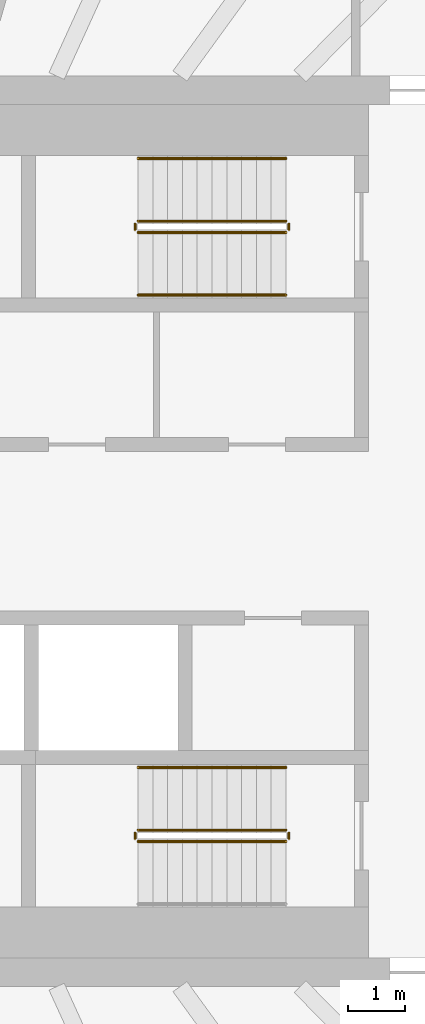
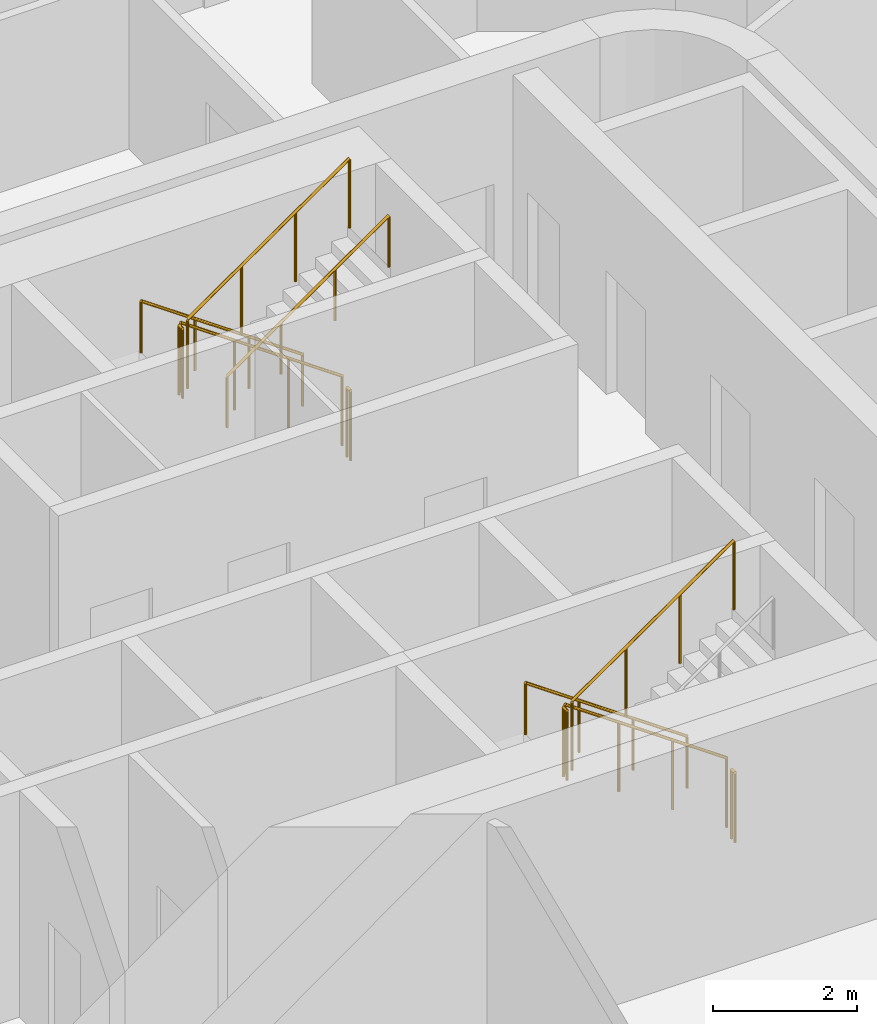
# One storey, part 21 of 24: 11 railings.
"""IFC4 building model written with IfcOpenShell, lengths in metres."""

from ifc_helpers import new_model, si_unit, direction, frame, origin, origin_2d, place, context, subcontext, project, spatial, circle, extrude, material, type_object, element, save


model = new_model("IFC4")

# Units and contexts
model_context = context("Model", 3, precision=1e-05, world=origin(), true_north=direction((0.0, 1.0)))
body_context = subcontext(model_context, "Body", "Model", "MODEL_VIEW")
ifc_project = project(units=[si_unit("LENGTHUNIT", "METRE"), si_unit("AREAUNIT", "SQUARE_METRE"), si_unit("VOLUMEUNIT", "CUBIC_METRE"), si_unit("PLANEANGLEUNIT", "RADIAN"), si_unit("MASSUNIT", "GRAM", prefix="KILO")], contexts=[model_context])

# Site, building, storey
site_placement = place(None, origin())
site = spatial("IfcSite", under=ifc_project, at=site_placement, CompositionType="ELEMENT")
building_placement = place(site_placement, origin())
building = spatial("IfcBuilding", under=site, at=building_placement, Name="Sahrelin Media Tower", CompositionType="ELEMENT")
storey_placement = place(building_placement, frame((0.0, 0.0, 153.60009765625)))
storey = spatial("IfcBuildingStorey", under=building, at=storey_placement, Name="L31", CompositionType="ELEMENT", Elevation=153.60009765625)

# Railings
ifc_material = material(Name="Steel S355", Category="steel")
railing_type_1 = type_object("IfcRailingType", Name="Stair guard 1200", PredefinedType="GUARDRAIL", material=ifc_material)
railing_1_placement = place(storey_placement, frame((7.675048828125, 5.449951171875, 0.181640625)))
element("IfcRailing", 1, at=railing_1_placement, inside=storey, type_object=railing_type_1, Name="L31 ST3 stair guard 1", PredefinedType="GUARDRAIL", context=body_context, shape_type="SweptSolid", body=[
    extrude(circle(Radius=0.02392578125, at=origin_2d()), frame((0.0, 0.0, 1.17578125), z_axis=(-0.819484887739, 0.0, 0.573100792852), x_axis=(0.0, -1.0, 0.0)), (0.0, 0.0, 1.0), 3.1728515625),
    extrude(circle(Radius=0.02099609375, at=origin_2d()), origin(), (0.0, 0.0, 1.0), 1.15185546875),
    extrude(circle(Radius=0.02099609375, at=origin_2d()), frame((-0.86669921875, 0.0, 0.606201171875)), (0.0, 0.0, 1.0), 1.15185546875),
    extrude(circle(Radius=0.02099609375, at=origin_2d()), frame((-1.7333984375, 0.0, 1.212158203125)), (0.0, 0.0, 1.0), 1.15185546875),
    extrude(circle(Radius=0.02099609375, at=origin_2d()), frame((-2.60009765625, 0.0, 1.818359375)), (0.0, 0.0, 1.0), 1.15185546875),
])
railing_2_placement = place(storey_placement, frame((5.02490234375, 5.39990234375, 2.0)))
element("IfcRailing", 2, at=railing_2_placement, inside=storey, type_object=railing_type_1, Name="L31 ST3 stair guard 2", PredefinedType="GUARDRAIL", context=body_context, shape_type="SweptSolid", body=[
    extrude(circle(Radius=0.02392578125, at=origin_2d()), frame((0.0, 0.0, 1.17578125), z_axis=(0.0, -1.0, 0.0), x_axis=(1.0, 0.0, 0.0)), (0.0, 0.0, 1.0), 0.099853515625),
    extrude(circle(Radius=0.02099609375, at=origin_2d()), origin(), (0.0, 0.0, 1.0), 1.15185546875),
    extrude(circle(Radius=0.02099609375, at=origin_2d()), frame((0.0, -0.099853515625, 0.0)), (0.0, 0.0, 1.0), 1.15185546875),
])
railing_3_placement = place(storey_placement, frame((5.074951171875, 5.25, 2.181640625)))
element("IfcRailing", 3, at=railing_3_placement, inside=storey, type_object=railing_type_1, Name="L31 ST3 stair guard 3", PredefinedType="GUARDRAIL", context=body_context, shape_type="SweptSolid", body=[
    extrude(circle(Radius=0.02392578125, at=origin_2d()), frame((0.0, 0.0, 1.17578125), z_axis=(0.819484887739, 0.0, 0.573100792852), x_axis=(0.0, 1.0, 0.0)), (0.0, 0.0, 1.0), 3.1728515625),
    extrude(circle(Radius=0.02099609375, at=origin_2d()), origin(), (0.0, 0.0, 1.0), 1.15185546875),
    extrude(circle(Radius=0.02099609375, at=origin_2d()), frame((0.86669921875, 0.0, 0.606201171875)), (0.0, 0.0, 1.0), 1.15185546875),
    extrude(circle(Radius=0.02099609375, at=origin_2d()), frame((1.7333984375, 0.0, 1.212158203125)), (0.0, 0.0, 1.0), 1.15185546875),
    extrude(circle(Radius=0.02099609375, at=origin_2d()), frame((2.60009765625, 0.0, 1.818359375)), (0.0, 0.0, 1.0), 1.15185546875),
])
railing_4_placement = place(storey_placement, frame((7.72509765625, 5.39990234375, 0.0)))
element("IfcRailing", 4, at=railing_4_placement, inside=storey, type_object=railing_type_1, Name="L31 ST3 stair guard 4", PredefinedType="GUARDRAIL", context=body_context, shape_type="SweptSolid", body=[
    extrude(circle(Radius=0.02392578125, at=origin_2d()), frame((0.0, 0.0, 1.17578125), z_axis=(0.0, -1.0, 0.0), x_axis=(1.0, 0.0, 0.0)), (0.0, 0.0, 1.0), 0.099853515625),
    extrude(circle(Radius=0.02099609375, at=origin_2d()), origin(), (0.0, 0.0, 1.0), 1.15185546875),
    extrude(circle(Radius=0.02099609375, at=origin_2d()), frame((0.0, -0.099853515625, 0.0)), (0.0, 0.0, 1.0), 1.15185546875),
])
railing_5_placement = place(storey_placement, frame((7.675048828125, -5.25, 0.181640625)))
element("IfcRailing", 5, at=railing_5_placement, inside=storey, type_object=railing_type_1, Name="L31 ST2 stair guard 1", PredefinedType="GUARDRAIL", context=body_context, shape_type="SweptSolid", body=[
    extrude(circle(Radius=0.02392578125, at=origin_2d()), frame((0.0, 0.0, 1.17578125), z_axis=(-0.819484887739, 0.0, 0.573100792852), x_axis=(0.0, -1.0, 0.0)), (0.0, 0.0, 1.0), 3.1728515625),
    extrude(circle(Radius=0.02099609375, at=origin_2d()), origin(), (0.0, 0.0, 1.0), 1.15185546875),
    extrude(circle(Radius=0.02099609375, at=origin_2d()), frame((-0.86669921875, 0.0, 0.606201171875)), (0.0, 0.0, 1.0), 1.15185546875),
    extrude(circle(Radius=0.02099609375, at=origin_2d()), frame((-1.7333984375, 0.0, 1.212158203125)), (0.0, 0.0, 1.0), 1.15185546875),
    extrude(circle(Radius=0.02099609375, at=origin_2d()), frame((-2.60009765625, 0.0, 1.818359375)), (0.0, 0.0, 1.0), 1.15185546875),
])
railing_6_placement = place(storey_placement, frame((5.02490234375, -5.300048828125, 2.0)))
element("IfcRailing", 6, at=railing_6_placement, inside=storey, type_object=railing_type_1, Name="L31 ST2 stair guard 2", PredefinedType="GUARDRAIL", context=body_context, shape_type="SweptSolid", body=[
    extrude(circle(Radius=0.02392578125, at=origin_2d()), frame((0.0, 0.0, 1.17578125), z_axis=(0.0, -1.0, 0.0), x_axis=(1.0, 0.0, 0.0)), (0.0, 0.0, 1.0), 0.099853515625),
    extrude(circle(Radius=0.02099609375, at=origin_2d()), origin(), (0.0, 0.0, 1.0), 1.15185546875),
    extrude(circle(Radius=0.02099609375, at=origin_2d()), frame((0.0, -0.099853515625, 0.0)), (0.0, 0.0, 1.0), 1.15185546875),
])
railing_7_placement = place(storey_placement, frame((5.074951171875, -5.449951171875, 2.181640625)))
element("IfcRailing", 7, at=railing_7_placement, inside=storey, type_object=railing_type_1, Name="L31 ST2 stair guard 3", PredefinedType="GUARDRAIL", context=body_context, shape_type="SweptSolid", body=[
    extrude(circle(Radius=0.02392578125, at=origin_2d()), frame((0.0, 0.0, 1.17578125), z_axis=(0.819484887739, 0.0, 0.573100792852), x_axis=(0.0, 1.0, 0.0)), (0.0, 0.0, 1.0), 3.1728515625),
    extrude(circle(Radius=0.02099609375, at=origin_2d()), origin(), (0.0, 0.0, 1.0), 1.15185546875),
    extrude(circle(Radius=0.02099609375, at=origin_2d()), frame((0.86669921875, 0.0, 0.606201171875)), (0.0, 0.0, 1.0), 1.15185546875),
    extrude(circle(Radius=0.02099609375, at=origin_2d()), frame((1.7333984375, 0.0, 1.212158203125)), (0.0, 0.0, 1.0), 1.15185546875),
    extrude(circle(Radius=0.02099609375, at=origin_2d()), frame((2.60009765625, 0.0, 1.818359375)), (0.0, 0.0, 1.0), 1.15185546875),
])
railing_8_placement = place(storey_placement, frame((7.72509765625, -5.300048828125, 0.0)))
element("IfcRailing", 8, at=railing_8_placement, inside=storey, type_object=railing_type_1, Name="L31 ST2 stair guard 4", PredefinedType="GUARDRAIL", context=body_context, shape_type="SweptSolid", body=[
    extrude(circle(Radius=0.02392578125, at=origin_2d()), frame((0.0, 0.0, 1.17578125), z_axis=(0.0, -1.0, 0.0), x_axis=(1.0, 0.0, 0.0)), (0.0, 0.0, 1.0), 0.099853515625),
    extrude(circle(Radius=0.02099609375, at=origin_2d()), origin(), (0.0, 0.0, 1.0), 1.15185546875),
    extrude(circle(Radius=0.02099609375, at=origin_2d()), frame((0.0, -0.099853515625, 0.0)), (0.0, 0.0, 1.0), 1.15185546875),
])
railing_type_2 = type_object("IfcRailingType", Name="Stair handrail 900", PredefinedType="HANDRAIL", material=ifc_material)
railing_9_placement = place(storey_placement, frame((7.675048828125, 6.550048828125, 0.181640625)))
element("IfcRailing", 9, at=railing_9_placement, inside=storey, type_object=railing_type_2, Name="L31 ST3 stair handrail 1", PredefinedType="HANDRAIL", context=body_context, shape_type="SweptSolid", body=[
    extrude(circle(Radius=0.02392578125, at=origin_2d()), frame((0.0, 0.0, 0.8759765625), z_axis=(-0.819484887739, 0.0, 0.573100792852), x_axis=(0.0, -1.0, 0.0)), (0.0, 0.0, 1.0), 3.1728515625),
    extrude(circle(Radius=0.02099609375, at=origin_2d()), origin(), (0.0, 0.0, 1.0), 0.851806640625),
    extrude(circle(Radius=0.02099609375, at=origin_2d()), frame((-0.86669921875, 0.0, 0.606201171875)), (0.0, 0.0, 1.0), 0.851806640625),
    extrude(circle(Radius=0.02099609375, at=origin_2d()), frame((-1.7333984375, 0.0, 1.212158203125)), (0.0, 0.0, 1.0), 0.851806640625),
    extrude(circle(Radius=0.02099609375, at=origin_2d()), frame((-2.60009765625, 0.0, 1.818359375)), (0.0, 0.0, 1.0), 0.851806640625),
])
railing_10_placement = place(storey_placement, frame((5.074951171875, 4.14990234375, 2.181640625)))
element("IfcRailing", 10, at=railing_10_placement, inside=storey, type_object=railing_type_2, Name="L31 ST3 stair handrail 2", PredefinedType="HANDRAIL", context=body_context, shape_type="SweptSolid", body=[
    extrude(circle(Radius=0.02392578125, at=origin_2d()), frame((0.0, 0.0, 0.8759765625), z_axis=(0.819484887739, 0.0, 0.573100792852), x_axis=(0.0, 1.0, 0.0)), (0.0, 0.0, 1.0), 3.1728515625),
    extrude(circle(Radius=0.02099609375, at=origin_2d()), origin(), (0.0, 0.0, 1.0), 0.851806640625),
    extrude(circle(Radius=0.02099609375, at=origin_2d()), frame((0.86669921875, 0.0, 0.606201171875)), (0.0, 0.0, 1.0), 0.851806640625),
    extrude(circle(Radius=0.02099609375, at=origin_2d()), frame((1.7333984375, 0.0, 1.212158203125)), (0.0, 0.0, 1.0), 0.851806640625),
    extrude(circle(Radius=0.02099609375, at=origin_2d()), frame((2.60009765625, 0.0, 1.818359375)), (0.0, 0.0, 1.0), 0.851806640625),
])
railing_11_placement = place(storey_placement, frame((7.675048828125, -4.14990234375, 0.181640625)))
element("IfcRailing", 11, at=railing_11_placement, inside=storey, type_object=railing_type_2, Name="L31 ST2 stair handrail 1", PredefinedType="HANDRAIL", context=body_context, shape_type="SweptSolid", body=[
    extrude(circle(Radius=0.02392578125, at=origin_2d()), frame((0.0, 0.0, 0.8759765625), z_axis=(-0.819484887739, 0.0, 0.573100792852), x_axis=(0.0, -1.0, 0.0)), (0.0, 0.0, 1.0), 3.1728515625),
    extrude(circle(Radius=0.02099609375, at=origin_2d()), origin(), (0.0, 0.0, 1.0), 0.851806640625),
    extrude(circle(Radius=0.02099609375, at=origin_2d()), frame((-0.86669921875, 0.0, 0.606201171875)), (0.0, 0.0, 1.0), 0.851806640625),
    extrude(circle(Radius=0.02099609375, at=origin_2d()), frame((-1.7333984375, 0.0, 1.212158203125)), (0.0, 0.0, 1.0), 0.851806640625),
    extrude(circle(Radius=0.02099609375, at=origin_2d()), frame((-2.60009765625, 0.0, 1.818359375)), (0.0, 0.0, 1.0), 0.851806640625),
])

save(model, "model.ifc")
